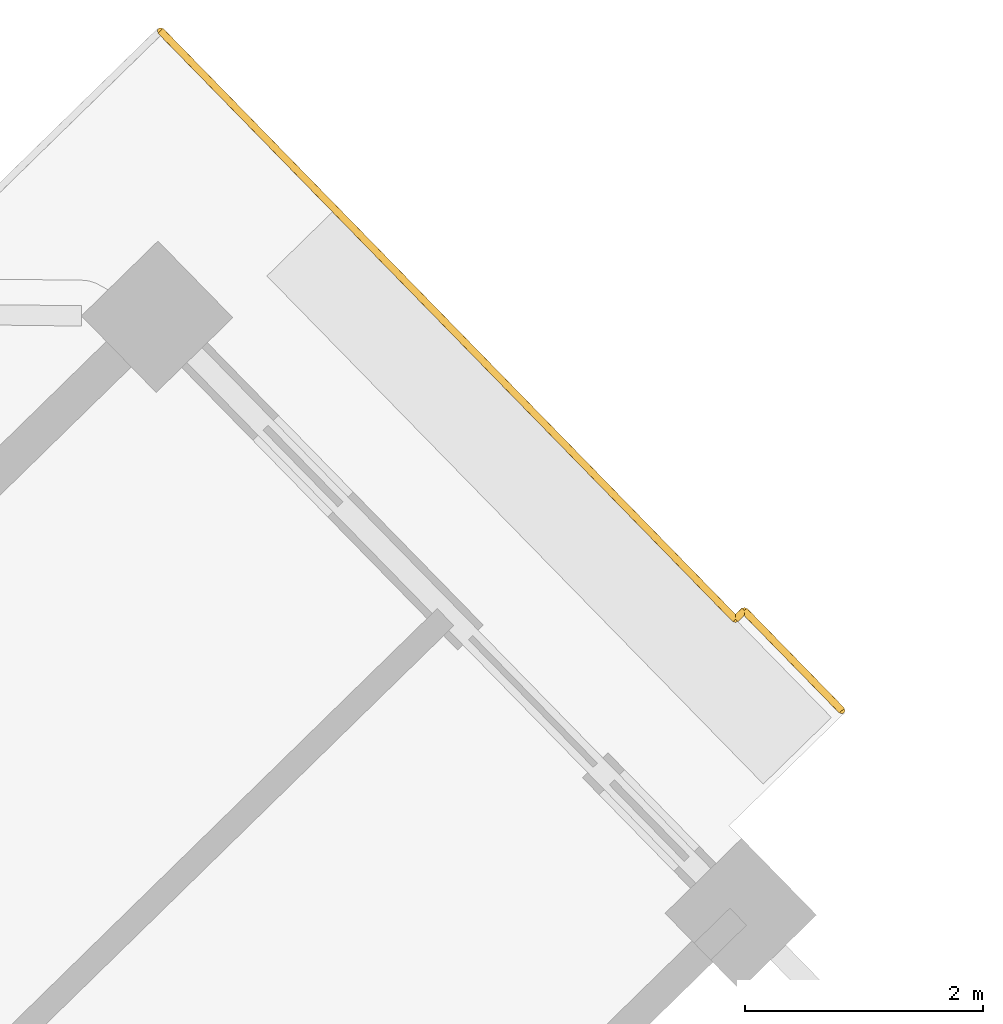
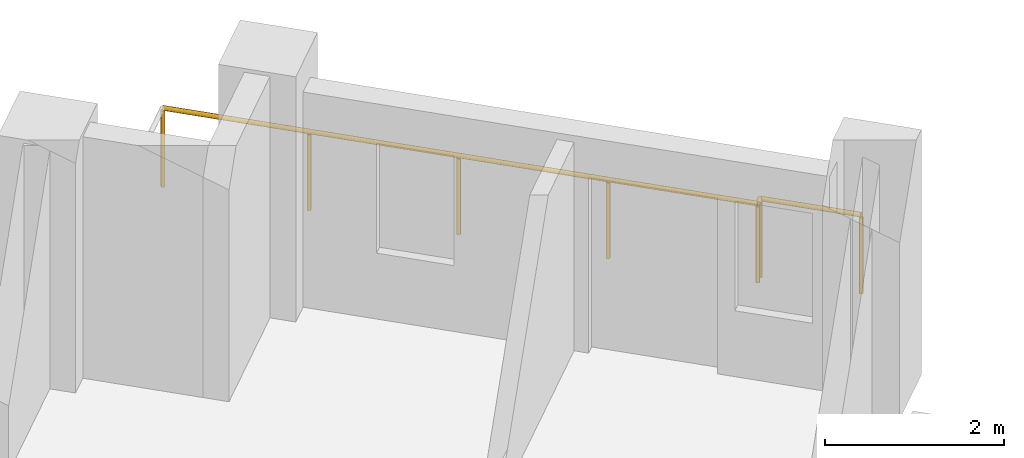
# One storey, part 19 of 20: 1 railing.
"""IFC4 building model written with IfcOpenShell, lengths in metres."""

from ifc_helpers import new_model, si_unit, direction, frame, origin, origin_2d, place, context, subcontext, project, spatial, circle, extrude, material, type_object, element, save


model = new_model("IFC4")

# Units and contexts
model_context = context("Model", 3, precision=1e-05, world=origin(), true_north=direction((0.0, 1.0)))
body_context = subcontext(model_context, "Body", "Model", "MODEL_VIEW")
ifc_project = project(units=[si_unit("LENGTHUNIT", "METRE"), si_unit("AREAUNIT", "SQUARE_METRE"), si_unit("VOLUMEUNIT", "CUBIC_METRE"), si_unit("PLANEANGLEUNIT", "RADIAN"), si_unit("MASSUNIT", "GRAM", prefix="KILO")], contexts=[model_context])

# Site, building, storey
site_placement = place(None, origin())
site = spatial("IfcSite", under=ifc_project, at=site_placement, CompositionType="ELEMENT")
building_placement = place(site_placement, origin())
building = spatial("IfcBuilding", under=site, at=building_placement, Name="Cantera Rosa Tower", CompositionType="ELEMENT")
storey_placement = place(building_placement, frame((0.0, 0.0, 212.60009765625)))
storey = spatial("IfcBuildingStorey", under=building, at=storey_placement, Name="L45", CompositionType="ELEMENT", Elevation=212.60009765625)

# Railing
ifc_material = material(Name="Stainless steel and laminated glass", Category="steel")
railing_type = type_object("IfcRailingType", Name="GUARD 1100", PredefinedType="BALUSTRADE", material=ifc_material)
railing_placement = place(storey_placement, frame((5.502685546875, 32.288330078125, 0.0)))
element("IfcRailing", 1, at=railing_placement, inside=storey, type_object=railing_type, Name="GUARD L45-6", PredefinedType="BALUSTRADE", context=body_context, shape_type="SweptSolid", body=[
    extrude(circle(Radius=0.030029296875, at=origin_2d()), frame((0.0, 0.0, 1.070068359375), z_axis=(0.69880105094, -0.715316077832, 0.0), x_axis=(0.715316077832, 0.69880105094, 0.0)), (0.0, 0.0, 1.0), 1.699951171875),
    extrude(circle(Radius=0.030029296875, at=origin_2d()), frame((1.18798828125, -1.216064453125, 1.070068359375), z_axis=(0.698820850974, -0.7152967344, 0.0), x_axis=(0.7152967344, 0.698820850974, 0.0)), (0.0, 0.0, 1.0), 5.216064453125),
    extrude(circle(Radius=0.030029296875, at=origin_2d()), frame((4.8330078125, -4.947021484375, 1.070068359375), z_axis=(0.715267124493, 0.698851157701, 0.0), x_axis=(-0.698851157701, 0.715267124493, 0.0)), (0.0, 0.0, 1.0), 0.10400390625),
    extrude(circle(Radius=0.030029296875, at=origin_2d()), frame((4.907470703125, -4.874267578125, 1.070068359375), z_axis=(0.698739523875, -0.715376179206, 0.0), x_axis=(0.715376179206, 0.698739523875, 0.0)), (0.0, 0.0, 1.0), 1.174072265625),
    extrude(circle(Radius=0.02490234375, at=origin_2d()), origin(), (0.0, 0.0, 1.0), 1.0400390625),
    extrude(circle(Radius=0.02490234375, at=origin_2d()), frame((1.18798828125, -1.216064453125, 0.0)), (0.0, 0.0, 1.0), 1.0400390625),
    extrude(circle(Radius=0.02490234375, at=origin_2d()), frame((2.403076171875, -2.459716796875, 0.0)), (0.0, 0.0, 1.0), 1.0400390625),
    extrude(circle(Radius=0.02490234375, at=origin_2d()), frame((3.617919921875, -3.703369140625, 0.0)), (0.0, 0.0, 1.0), 1.0400390625),
    extrude(circle(Radius=0.02490234375, at=origin_2d()), frame((4.8330078125, -4.947021484375, 0.0)), (0.0, 0.0, 1.0), 1.0400390625),
    extrude(circle(Radius=0.02490234375, at=origin_2d()), frame((4.907470703125, -4.874267578125, 0.0)), (0.0, 0.0, 1.0), 1.0400390625),
    extrude(circle(Radius=0.02490234375, at=origin_2d()), frame((5.727783203125, -5.714111328125, 0.0)), (0.0, 0.0, 1.0), 1.0400390625),
])

save(model, "model.ifc")
